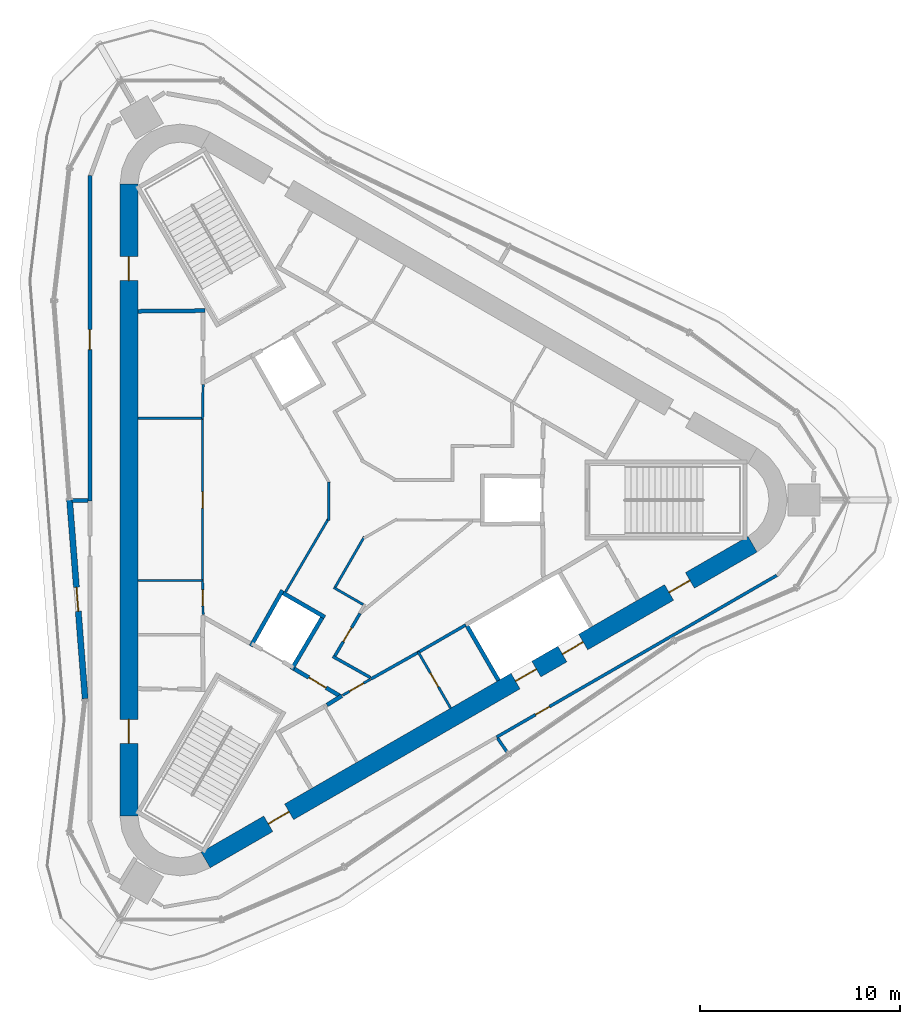
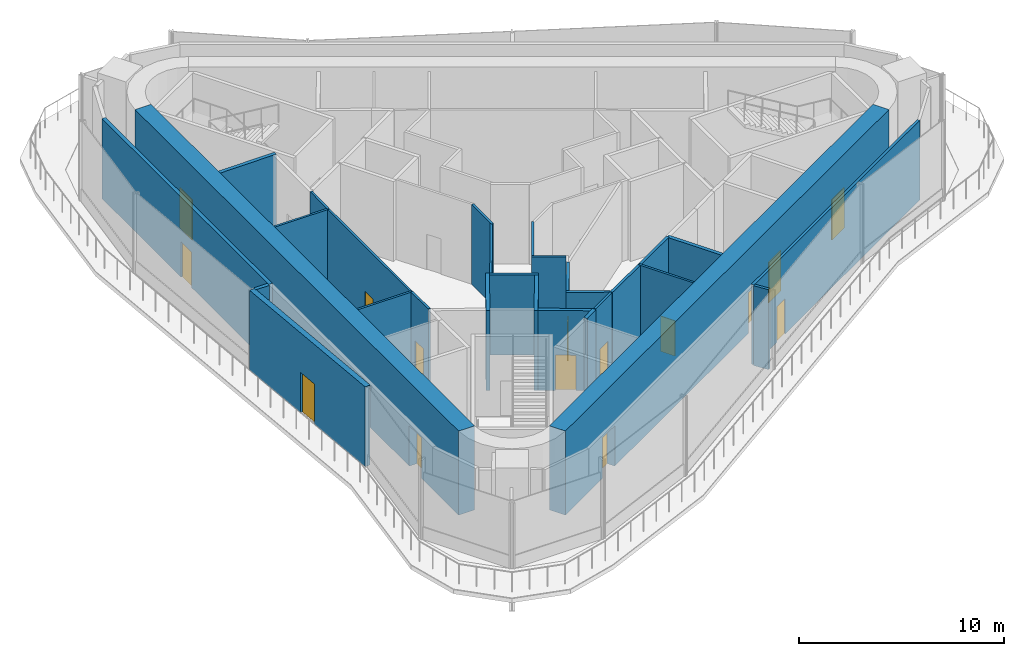
# One storey, part 4 of 9: 29 walls, 15 doors, 15 openings.
"""IFC4 building model written with IfcOpenShell, lengths in metres."""

from ifc_helpers import new_model, si_unit, direction, frame, frame_2d, origin, place, context, subcontext, project, spatial, rectangle, extrude, material, layer, layer_set, type_object, element, fill, save


model = new_model("IFC4")

# Units and contexts
model_context = context("Model", 3, precision=1e-05, world=origin(), true_north=direction((0.0, 1.0)))
body_context = subcontext(model_context, "Body", "Model", "MODEL_VIEW")
ifc_project = project(units=[si_unit("LENGTHUNIT", "METRE"), si_unit("AREAUNIT", "SQUARE_METRE"), si_unit("VOLUMEUNIT", "CUBIC_METRE"), si_unit("PLANEANGLEUNIT", "RADIAN"), si_unit("MASSUNIT", "GRAM", prefix="KILO")], contexts=[model_context])

# Site, building, storey
site_placement = place(None, origin())
site = spatial("IfcSite", under=ifc_project, at=site_placement, CompositionType="ELEMENT")
building_placement = place(site_placement, origin())
building = spatial("IfcBuilding", under=site, at=building_placement, Name="Tanit Gate Tower", CompositionType="ELEMENT")
storey_placement = place(building_placement, frame((0.0, 0.0, 430.300048828125)))
storey = spatial("IfcBuildingStorey", under=building, at=storey_placement, Name="L97", CompositionType="ELEMENT", Elevation=430.300048828125)

# Wall, openings, doors
ifc_material_1 = material(Name="Concrete C40/50", Category="concrete")
ifc_layer_1 = layer(ifc_material_1, 0.89990234375)
ifc_layer_set_1 = layer_set([ifc_layer_1], Name="CORE WALL 900 C40/50")
wall_type_1 = type_object("IfcWallType", Name="CORE WALL 900 C40/50", PredefinedType="SHEAR", material=ifc_layer_set_1)
wall_1_placement = place(storey_placement, frame((-11.64990234375, 15.76171875, 0.0), z_axis=(0.0, 0.0, 1.0), x_axis=(0.0, -1.0, 0.0)))
wall_1 = element("IfcWall", 1, at=wall_1_placement, inside=storey, type_object=wall_type_1, Name="CORE WALL", PredefinedType="SHEAR", context=body_context, shape_type="SweptSolid", body=[
    extrude(rectangle(XDim=31.5234375, YDim=0.89990234375, at=frame_2d((15.76171875, 0.0))), origin(), (0.0, 0.0, 1.0), 5.0),
])
opening_1_placement = place(wall_1_placement, frame((3.61181640625, 0.0, 0.0)))
opening_1 = element("IfcOpeningElement", 2, at=opening_1_placement, cuts=wall_1, Name="Opening F12-97-FL2", PredefinedType="OPENING", context=body_context, shape_type="SweptSolid", body=[
    extrude(rectangle(XDim=1.199951171875, YDim=2.39990234375, at=frame_2d((0.60009765625, 1.199951171875))), frame((0.0, 0.4599609375, 0.0), z_axis=(0.0, -1.0, 0.0), x_axis=(1.0, 0.0, 0.0)), (0.0, 0.0, 1.0), 0.919921875),
])
opening_2_placement = place(wall_1_placement, frame((26.711669921875, 0.0, 0.0)))
opening_2 = element("IfcOpeningElement", 3, at=opening_2_placement, cuts=wall_1, Name="Opening F12-97-S3", PredefinedType="OPENING", context=body_context, shape_type="SweptSolid", body=[
    extrude(rectangle(XDim=1.199951171875, YDim=2.39990234375, at=frame_2d((0.60009765625, 1.199951171875))), frame((0.0, 0.4599609375, 0.0), z_axis=(0.0, -1.0, 0.0), x_axis=(1.0, 0.0, 0.0)), (0.0, 0.0, 1.0), 0.919921875),
])
ifc_material_2 = material(Name="Fire-rated steel door leaf", Category="steel")
door_type_1 = type_object("IfcDoorType", Name="INT-DOOR-FIRE-LOBBY-1200", OperationType="NOTDEFINED", PredefinedType="USERDEFINED", material=ifc_material_2)
door_1_placement = place(opening_1_placement, origin())
door_1 = element("IfcDoor", 4, at=door_1_placement, inside=storey, type_object=door_type_1, Name="Door F12-97-FL2", ObjectType="FIRE DOOR", OperationType="SINGLE_SWING_RIGHT", OverallHeight=2.39990234375, OverallWidth=1.199951171875, PredefinedType="USERDEFINED", context=body_context, shape_type="SweptSolid", body=[
    extrude(rectangle(XDim=1.199951171875, YDim=2.39990234375, at=frame_2d((0.60009765625, 1.199951171875))), frame((0.0, 0.02490234375, 0.0), z_axis=(0.0, -1.0, 0.0), x_axis=(1.0, 0.0, 0.0)), (0.0, 0.0, 1.0), 0.050048828125),
])
fill(opening_1, door_1)
door_2_placement = place(opening_2_placement, origin())
door_2 = element("IfcDoor", 5, at=door_2_placement, inside=storey, type_object=door_type_1, Name="Door F12-97-S3", ObjectType="FIRE DOOR", OperationType="SINGLE_SWING_RIGHT", OverallHeight=2.39990234375, OverallWidth=1.199951171875, PredefinedType="USERDEFINED", context=body_context, shape_type="SweptSolid", body=[
    extrude(rectangle(XDim=1.199951171875, YDim=2.39990234375, at=frame_2d((0.60009765625, 1.199951171875))), frame((0.0, 0.02490234375, 0.0), z_axis=(0.0, -1.0, 0.0), x_axis=(1.0, 0.0, 0.0)), (0.0, 0.0, 1.0), 0.050048828125),
])
fill(opening_2, door_2)

wall_2_placement = place(storey_placement, frame((-7.824951171875, -17.969970703125, 0.0), z_axis=(0.0, 0.0, 1.0), x_axis=(0.866028369851, 0.499994862586, 0.0)))
wall_2 = element("IfcWall", 6, at=wall_2_placement, inside=storey, type_object=wall_type_1, Name="CORE WALL", PredefinedType="SHEAR", context=body_context, shape_type="SweptSolid", body=[
    extrude(rectangle(XDim=31.523193359375, YDim=0.89990234375, at=frame_2d((15.76171875, 0.0))), origin(), (0.0, 0.0, 1.0), 5.0),
])
opening_3_placement = place(wall_2_placement, frame((17.861572265625, 0.0, 0.0)))
opening_3 = element("IfcOpeningElement", 7, at=opening_3_placement, cuts=wall_2, Name="Opening LDSV1-97", PredefinedType="OPENING", context=body_context, shape_type="SweptSolid", body=[
    extrude(rectangle(XDim=1.199951171875, YDim=2.39990234375, at=frame_2d((0.60009765625, 1.199951171875))), frame((0.0, 0.4599609375, 0.0), z_axis=(0.0, -1.0, 0.0), x_axis=(1.0, 0.0, 0.0)), (0.0, 0.0, 1.0), 0.919921875),
])
opening_4_placement = place(wall_2_placement, frame((20.561767578125, 0.0, 0.0)))
opening_4 = element("IfcOpeningElement", 8, at=opening_4_placement, cuts=wall_2, Name="Opening LDSV2-97", PredefinedType="OPENING", context=body_context, shape_type="SweptSolid", body=[
    extrude(rectangle(XDim=1.199951171875, YDim=2.39990234375, at=frame_2d((0.60009765625, 1.199951171875))), frame((0.0, 0.4599609375, 0.0), z_axis=(0.0, -1.0, 0.0), x_axis=(1.0, 0.0, 0.0)), (0.0, 0.0, 1.0), 0.919921875),
])
opening_5_placement = place(wall_2_placement, frame((26.711669921875, 0.0, 0.0)))
opening_5 = element("IfcOpeningElement", 9, at=opening_5_placement, cuts=wall_2, Name="Opening F12-97-S1", PredefinedType="OPENING", context=body_context, shape_type="SweptSolid", body=[
    extrude(rectangle(XDim=1.199951171875, YDim=2.39990234375, at=frame_2d((0.60009765625, 1.199951171875))), frame((0.0, 0.4599609375, 0.0), z_axis=(0.0, -1.0, 0.0), x_axis=(1.0, 0.0, 0.0)), (0.0, 0.0, 1.0), 0.919921875),
])
opening_6_placement = place(wall_2_placement, frame((3.611572265625, 0.0, 0.0)))
opening_6 = element("IfcOpeningElement", 10, at=opening_6_placement, cuts=wall_2, Name="Opening F12-97-FL3", PredefinedType="OPENING", context=body_context, shape_type="SweptSolid", body=[
    extrude(rectangle(XDim=1.199951171875, YDim=2.39990234375, at=frame_2d((0.60009765625, 1.199951171875))), frame((0.0, 0.4599609375, 0.0), z_axis=(0.0, -1.0, 0.0), x_axis=(1.0, 0.0, 0.0)), (0.0, 0.0, 1.0), 0.919921875),
])
door_3_placement = place(opening_5_placement, origin())
door_3 = element("IfcDoor", 11, at=door_3_placement, inside=storey, type_object=door_type_1, Name="Door F12-97-S1", ObjectType="FIRE DOOR", OperationType="SINGLE_SWING_LEFT", OverallHeight=2.39990234375, OverallWidth=1.199951171875, PredefinedType="USERDEFINED", context=body_context, shape_type="SweptSolid", body=[
    extrude(rectangle(XDim=1.199951171875, YDim=2.39990234375, at=frame_2d((0.60009765625, 1.199951171875))), frame((0.0, 0.02490234375, 0.0), z_axis=(0.0, -1.0, 0.0), x_axis=(1.0, 0.0, 0.0)), (0.0, 0.0, 1.0), 0.050048828125),
])
fill(opening_5, door_3)
door_4_placement = place(opening_6_placement, origin())
door_4 = element("IfcDoor", 12, at=door_4_placement, inside=storey, type_object=door_type_1, Name="Door F12-97-FL3", ObjectType="FIRE DOOR", OperationType="SINGLE_SWING_RIGHT", OverallHeight=2.39990234375, OverallWidth=1.199951171875, PredefinedType="USERDEFINED", context=body_context, shape_type="SweptSolid", body=[
    extrude(rectangle(XDim=1.199951171875, YDim=2.39990234375, at=frame_2d((0.60009765625, 1.199951171875))), frame((0.0, 0.02490234375, 0.0), z_axis=(0.0, -1.0, 0.0), x_axis=(1.0, 0.0, 0.0)), (0.0, 0.0, 1.0), 0.050048828125),
])
fill(opening_6, door_4)
ifc_material_3 = material(Name="Stainless steel sliding door leaf", Category="steel")
door_type_2 = type_object("IfcDoorType", Name="INT-DOOR-LANDING-1200", OperationType="NOTDEFINED", PredefinedType="USERDEFINED", material=ifc_material_3)
door_5_placement = place(opening_3_placement, origin())
door_5 = element("IfcDoor", 13, at=door_5_placement, inside=storey, type_object=door_type_2, Name="Door LDSV1-97", ObjectType="LANDING DOOR", OperationType="SLIDING_TO_LEFT", OverallHeight=2.39990234375, OverallWidth=1.199951171875, PredefinedType="USERDEFINED", context=body_context, shape_type="SweptSolid", body=[
    extrude(rectangle(XDim=1.199951171875, YDim=2.39990234375, at=frame_2d((0.60009765625, 1.199951171875))), frame((0.0, 0.02490234375, 0.0), z_axis=(0.0, -1.0, 0.0), x_axis=(1.0, 0.0, 0.0)), (0.0, 0.0, 1.0), 0.050048828125),
])
fill(opening_3, door_5)
door_6_placement = place(opening_4_placement, origin())
door_6 = element("IfcDoor", 14, at=door_6_placement, inside=storey, type_object=door_type_2, Name="Door LDSV2-97", ObjectType="LANDING DOOR", OperationType="SLIDING_TO_LEFT", OverallHeight=2.39990234375, OverallWidth=1.199951171875, PredefinedType="USERDEFINED", context=body_context, shape_type="SweptSolid", body=[
    extrude(rectangle(XDim=1.199951171875, YDim=2.39990234375, at=frame_2d((0.60009765625, 1.199951171875))), frame((0.0, 0.02490234375, 0.0), z_axis=(0.0, -1.0, 0.0), x_axis=(1.0, 0.0, 0.0)), (0.0, 0.0, 1.0), 0.050048828125),
])
fill(opening_4, door_6)

# Walls
ifc_material_4 = material(Name="Fire-rated gypsum board partition")
ifc_layer_2 = layer(ifc_material_4, 0.199951171875)
ifc_layer_set_2 = layer_set([ifc_layer_2], Name="INT-WALL-COMPARTMENT")
wall_type_2 = type_object("IfcWallType", Name="INT-WALL-COMPARTMENT", PredefinedType="PARTITIONING", material=ifc_layer_set_2)
wall_3_placement = place(storey_placement, frame((-7.85009765625, 9.450927734375, 0.0), z_axis=(0.0, 0.0, 1.0), x_axis=(-0.999957167047, -0.009255488683, 0.0)))
element("IfcWall", 15, at=wall_3_placement, inside=storey, type_object=wall_type_2, Name="Wall Compartment W034", PredefinedType="PARTITIONING", context=body_context, shape_type="SweptSolid", body=[
    extrude(rectangle(XDim=3.35009765625, YDim=0.199951171875, at=frame_2d((1.675048828125, 0.0))), origin(), (0.0, 0.0, 1.0), 4.75),
])
wall_4_placement = place(storey_placement, frame((-1.02392578125, -9.77099609375, 0.0), z_axis=(0.0, 0.0, 1.0), x_axis=(-0.850348075135, -0.526220629693, 0.0)))
element("IfcWall", 16, at=wall_4_placement, inside=storey, type_object=wall_type_2, Name="Wall Compartment W059", PredefinedType="PARTITIONING", context=body_context, shape_type="SweptSolid", body=[
    extrude(rectangle(XDim=0.878173828125, YDim=0.199951171875, at=frame_2d((0.43896484375, 0.0))), origin(), (0.0, 0.0, 1.0), 4.75),
])

# Wall, opening, door
wall_5_placement = place(storey_placement, frame((-3.400634765625, -8.43017578125, 0.0), z_axis=(0.0, 0.0, 1.0), x_axis=(0.860617791406, -0.509251428192, 0.0)))
wall_5 = element("IfcWall", 17, at=wall_5_placement, inside=storey, type_object=wall_type_2, Name="Wall Compartment W070", PredefinedType="PARTITIONING", context=body_context, shape_type="SweptSolid", body=[
    extrude(rectangle(XDim=2.709228515625, YDim=0.199951171875, at=frame_2d((1.3544921875, 0.0))), origin(), (0.0, 0.0, 1.0), 4.75),
])
opening_7_placement = place(wall_5_placement, frame((0.848388671875, 0.0, 0.0)))
opening_7 = element("IfcOpeningElement", 18, at=opening_7_placement, cuts=wall_5, Name="Opening F10-97-08", PredefinedType="OPENING", context=body_context, shape_type="SweptSolid", body=[
    extrude(rectangle(XDim=1.0, YDim=2.10009765625, at=frame_2d((0.5, 1.050048828125))), frame((0.0, 0.10986328125, 0.0), z_axis=(0.0, -1.0, 0.0), x_axis=(1.0, 0.0, 0.0)), (0.0, 0.0, 1.0), 0.219970703125),
])
ifc_material_5 = material(Name="Fire-rated steel door leaf", Category="steel")
door_type_3 = type_object("IfcDoorType", Name="INT-DOOR-FIRE-1000", OperationType="NOTDEFINED", PredefinedType="USERDEFINED", material=ifc_material_5)
door_7_placement = place(opening_7_placement, origin())
door_7 = element("IfcDoor", 19, at=door_7_placement, inside=storey, type_object=door_type_3, Name="Door F10-97-08", ObjectType="FIRE DOOR", OperationType="SINGLE_SWING_RIGHT", OverallHeight=2.10009765625, OverallWidth=1.0, PredefinedType="USERDEFINED", context=body_context, shape_type="SweptSolid", body=[
    extrude(rectangle(XDim=1.0, YDim=2.10009765625, at=frame_2d((0.5, 1.050048828125))), frame((0.0, 0.02490234375, 0.0), z_axis=(0.0, -1.0, 0.0), x_axis=(1.0, 0.0, 0.0)), (0.0, 0.0, 1.0), 0.050048828125),
])
fill(opening_7, door_7)

wall_6_placement = place(storey_placement, frame((-13.60009765625, 16.20556640625, 0.0), z_axis=(0.0, 0.0, 1.0), x_axis=(0.0, -1.0, 0.0)))
wall_6 = element("IfcWall", 20, at=wall_6_placement, inside=storey, type_object=wall_type_2, Name="Wall Compartment W096", PredefinedType="PARTITIONING", context=body_context, shape_type="SweptSolid", body=[
    extrude(rectangle(XDim=16.255615234375, YDim=0.199951171875, at=frame_2d((8.1279296875, 0.0))), origin(), (0.0, 0.0, 1.0), 4.75),
])
opening_8_placement = place(wall_6_placement, frame((7.699951171875, 0.0, 0.0)))
opening_8 = element("IfcOpeningElement", 21, at=opening_8_placement, cuts=wall_6, Name="Opening F10-97-27", PredefinedType="OPENING", context=body_context, shape_type="SweptSolid", body=[
    extrude(rectangle(XDim=1.0, YDim=2.10009765625, at=frame_2d((0.5, 1.050048828125))), frame((0.0, 0.10986328125, 0.0), z_axis=(0.0, -1.0, 0.0), x_axis=(1.0, 0.0, 0.0)), (0.0, 0.0, 1.0), 0.219970703125),
])
door_8_placement = place(opening_8_placement, origin())
door_8 = element("IfcDoor", 22, at=door_8_placement, inside=storey, type_object=door_type_3, Name="Door F10-97-27", ObjectType="FIRE DOOR", OperationType="SINGLE_SWING_RIGHT", OverallHeight=2.10009765625, OverallWidth=1.0, PredefinedType="USERDEFINED", context=body_context, shape_type="SweptSolid", body=[
    extrude(rectangle(XDim=1.0, YDim=2.10009765625, at=frame_2d((0.5, 1.050048828125))), frame((0.0, 0.02490234375, 0.0), z_axis=(0.0, -1.0, 0.0), x_axis=(1.0, 0.0, 0.0)), (0.0, 0.0, 1.0), 0.050048828125),
])
fill(opening_8, door_8)

# Walls
wall_7_placement = place(storey_placement, frame((-14.48583984375, -0.030029296875, 0.0), z_axis=(0.0, 0.0, 1.0), x_axis=(1.0, 0.0, 0.0)))
element("IfcWall", 23, at=wall_7_placement, inside=storey, type_object=wall_type_2, Name="Wall Compartment W099", PredefinedType="PARTITIONING", context=body_context, shape_type="SweptSolid", body=[
    extrude(rectangle(XDim=0.785888671875, YDim=0.199951171875, at=frame_2d((0.39306640625, 0.0))), origin(), (0.0, 0.0, 1.0), 4.75),
])
ifc_material_6 = material(Name="Gypsum board partition")
ifc_layer_3 = layer(ifc_material_6, 0.1201171875)
ifc_layer_set_3 = layer_set([ifc_layer_3], Name="INT-WALL-PARTITION")
wall_type_3 = type_object("IfcWallType", Name="INT-WALL-PARTITION", PredefinedType="PARTITIONING", material=ifc_layer_set_3)
wall_8_placement = place(storey_placement, frame((-7.949951171875, 4.080078125, 0.0), z_axis=(0.0, 0.0, 1.0), x_axis=(-1.0, 0.0, 0.0)))
element("IfcWall", 24, at=wall_8_placement, inside=storey, type_object=wall_type_3, Name="Wall Partition W033", PredefinedType="PARTITIONING", context=body_context, shape_type="SweptSolid", body=[
    extrude(rectangle(XDim=3.25, YDim=0.1201171875, at=frame_2d((1.625, 0.0))), origin(), (0.0, 0.0, 1.0), 4.75),
])
wall_9_placement = place(storey_placement, frame((-7.951171875, 5.7724609375, 0.0), z_axis=(0.0, 0.0, 1.0), x_axis=(-0.016723387416, -0.999860154378, 0.0)))
element("IfcWall", 25, at=wall_9_placement, inside=storey, type_object=wall_type_3, Name="Wall Partition W036", PredefinedType="PARTITIONING", context=body_context, shape_type="SweptSolid", body=[
    extrude(rectangle(XDim=1.72265625, YDim=0.1201171875, at=frame_2d((0.861328125, 0.0))), origin(), (0.0, 0.0, 1.0), 4.75),
])
wall_10_placement = place(storey_placement, frame((-11.199951171875, -4.02001953125, 0.0), z_axis=(0.0, 0.0, 1.0), x_axis=(1.0, 0.0, 0.0)))
element("IfcWall", 26, at=wall_10_placement, inside=storey, type_object=wall_type_3, Name="Wall Partition W037", PredefinedType="PARTITIONING", context=body_context, shape_type="SweptSolid", body=[
    extrude(rectangle(XDim=3.25, YDim=0.1201171875, at=frame_2d((1.625, 0.0))), origin(), (0.0, 0.0, 1.0), 4.75),
])

# Wall, opening, door
wall_11_placement = place(storey_placement, frame((-7.97998046875, 4.050048828125, 0.0), z_axis=(0.0, 0.0, 1.0), x_axis=(0.0, -1.0, 0.0)))
wall_11 = element("IfcWall", 27, at=wall_11_placement, inside=storey, type_object=wall_type_3, Name="Wall Partition W038", PredefinedType="PARTITIONING", context=body_context, shape_type="SweptSolid", body=[
    extrude(rectangle(XDim=8.10009765625, YDim=0.1201171875, at=frame_2d((4.050048828125, 0.0))), origin(), (0.0, 0.0, 1.0), 4.75),
])
opening_9_placement = place(wall_11_placement, frame((3.64990234375, 0.0, 0.0)))
opening_9 = element("IfcOpeningElement", 28, at=opening_9_placement, cuts=wall_11, Name="Opening R08-97-15", PredefinedType="OPENING", context=body_context, shape_type="SweptSolid", body=[
    extrude(rectangle(XDim=0.800048828125, YDim=2.10009765625, at=frame_2d((0.39990234375, 1.050048828125))), frame((0.0, 0.070068359375, 0.0), z_axis=(0.0, -1.0, 0.0), x_axis=(1.0, 0.0, 0.0)), (0.0, 0.0, 1.0), 0.14013671875),
])
ifc_material_7 = material(Name="Timber door leaf", Category="wood")
door_type_4 = type_object("IfcDoorType", Name="INT-DOOR-RISER-800", OperationType="NOTDEFINED", PredefinedType="USERDEFINED", material=ifc_material_7)
door_9_placement = place(opening_9_placement, origin())
door_9 = element("IfcDoor", 29, at=door_9_placement, inside=storey, type_object=door_type_4, Name="Door R08-97-15", ObjectType="FIRE DOOR", OperationType="SINGLE_SWING_LEFT", OverallHeight=2.10009765625, OverallWidth=0.800048828125, PredefinedType="USERDEFINED", context=body_context, shape_type="SweptSolid", body=[
    extrude(rectangle(XDim=0.800048828125, YDim=2.10009765625, at=frame_2d((0.39990234375, 1.050048828125))), frame((0.0, 0.02490234375, 0.0), z_axis=(0.0, -1.0, 0.0), x_axis=(1.0, 0.0, 0.0)), (0.0, 0.0, 1.0), 0.050048828125),
])
fill(opening_9, door_9)

wall_12_placement = place(storey_placement, frame((-7.97998046875, -4.050048828125, 0.0), z_axis=(0.0, 0.0, 1.0), x_axis=(0.016798213807, -0.999858900052, 0.0)))
wall_12 = element("IfcWall", 30, at=wall_12_placement, inside=storey, type_object=wall_type_3, Name="Wall Partition W041", PredefinedType="PARTITIONING", context=body_context, shape_type="SweptSolid", body=[
    extrude(rectangle(XDim=1.67138671875, YDim=0.1201171875, at=frame_2d((0.835693359375, 0.0))), origin(), (0.0, 0.0, 1.0), 4.75),
])
opening_10_placement = place(wall_12_placement, frame((0.435791015625, 0.0, 0.0)))
opening_10 = element("IfcOpeningElement", 31, at=opening_10_placement, cuts=wall_12, Name="Opening R08-97-16", PredefinedType="OPENING", context=body_context, shape_type="SweptSolid", body=[
    extrude(rectangle(XDim=0.800048828125, YDim=2.10009765625, at=frame_2d((0.39990234375, 1.050048828125))), frame((0.0, 0.070068359375, 0.0), z_axis=(0.0, -1.0, 0.0), x_axis=(1.0, 0.0, 0.0)), (0.0, 0.0, 1.0), 0.14013671875),
])
door_10_placement = place(opening_10_placement, origin())
door_10 = element("IfcDoor", 32, at=door_10_placement, inside=storey, type_object=door_type_4, Name="Door R08-97-16", ObjectType="FIRE DOOR", OperationType="SINGLE_SWING_LEFT", OverallHeight=2.10009765625, OverallWidth=0.800048828125, PredefinedType="USERDEFINED", context=body_context, shape_type="SweptSolid", body=[
    extrude(rectangle(XDim=0.800048828125, YDim=2.10009765625, at=frame_2d((0.39990234375, 1.050048828125))), frame((0.0, 0.02490234375, 0.0), z_axis=(0.0, -1.0, 0.0), x_axis=(1.0, 0.0, 0.0)), (0.0, 0.0, 1.0), 0.050048828125),
])
fill(opening_10, door_10)

wall_13_placement = place(storey_placement, frame((4.40478515625, -10.389404296875, 0.0), z_axis=(0.0, 0.0, 1.0), x_axis=(-0.500017246033, 0.866015446554, 0.0)))
wall_13 = element("IfcWall", 33, at=wall_13_placement, inside=storey, type_object=wall_type_3, Name="Wall Partition W058", PredefinedType="PARTITIONING", context=body_context, shape_type="SweptSolid", body=[
    extrude(rectangle(XDim=3.25, YDim=0.1201171875, at=frame_2d((1.625, 0.0))), origin(), (0.0, 0.0, 1.0), 4.75),
])
opening_11_placement = place(wall_13_placement, frame((1.22509765625, 0.0, 0.0)))
opening_11 = element("IfcOpeningElement", 34, at=opening_11_placement, cuts=wall_13, Name="Opening R08-97-24", PredefinedType="OPENING", context=body_context, shape_type="SweptSolid", body=[
    extrude(rectangle(XDim=0.800048828125, YDim=2.10009765625, at=frame_2d((0.39990234375, 1.050048828125))), frame((0.0, 0.070068359375, 0.0), z_axis=(0.0, -1.0, 0.0), x_axis=(1.0, 0.0, 0.0)), (0.0, 0.0, 1.0), 0.14013671875),
])
door_11_placement = place(opening_11_placement, origin())
door_11 = element("IfcDoor", 35, at=door_11_placement, inside=storey, type_object=door_type_4, Name="Door R08-97-24", ObjectType="FIRE DOOR", OperationType="SINGLE_SWING_LEFT", OverallHeight=2.10009765625, OverallWidth=0.800048828125, PredefinedType="USERDEFINED", context=body_context, shape_type="SweptSolid", body=[
    extrude(rectangle(XDim=0.800048828125, YDim=2.10009765625, at=frame_2d((0.39990234375, 1.050048828125))), frame((0.0, 0.02490234375, 0.0), z_axis=(0.0, -1.0, 0.0), x_axis=(1.0, 0.0, 0.0)), (0.0, 0.0, 1.0), 0.050048828125),
])
fill(opening_11, door_11)

wall_14_placement = place(storey_placement, frame((0.39990234375, -8.948974609375, 0.0), z_axis=(0.0, 0.0, 1.0), x_axis=(-0.866019818373, -0.500009674092, 0.0)))
wall_14 = element("IfcWall", 36, at=wall_14_placement, inside=storey, type_object=wall_type_3, Name="Wall Partition W061", PredefinedType="PARTITIONING", context=body_context, shape_type="SweptSolid", body=[
    extrude(rectangle(XDim=1.59423828125, YDim=0.1201171875, at=frame_2d((0.797119140625, 0.0))), origin(), (0.0, 0.0, 1.0), 4.75),
])
opening_12_placement = place(wall_14_placement, frame((0.397216796875, 0.0, 0.0)))
opening_12 = element("IfcOpeningElement", 37, at=opening_12_placement, cuts=wall_14, Name="Opening R08-97-23", PredefinedType="OPENING", context=body_context, shape_type="SweptSolid", body=[
    extrude(rectangle(XDim=0.800048828125, YDim=2.10009765625, at=frame_2d((0.39990234375, 1.050048828125))), frame((0.0, 0.070068359375, 0.0), z_axis=(0.0, -1.0, 0.0), x_axis=(1.0, 0.0, 0.0)), (0.0, 0.0, 1.0), 0.14013671875),
])
door_12_placement = place(opening_12_placement, origin())
door_12 = element("IfcDoor", 38, at=door_12_placement, inside=storey, type_object=door_type_4, Name="Door R08-97-23", ObjectType="FIRE DOOR", OperationType="SINGLE_SWING_LEFT", OverallHeight=2.10009765625, OverallWidth=0.800048828125, PredefinedType="USERDEFINED", context=body_context, shape_type="SweptSolid", body=[
    extrude(rectangle(XDim=0.800048828125, YDim=2.10009765625, at=frame_2d((0.39990234375, 1.050048828125))), frame((0.0, 0.02490234375, 0.0), z_axis=(0.0, -1.0, 0.0), x_axis=(1.0, 0.0, 0.0)), (0.0, 0.0, 1.0), 0.050048828125),
])
fill(opening_12, door_12)

# Walls
wall_15_placement = place(storey_placement, frame((-1.688720703125, -1.02734375, 0.0), z_axis=(0.0, 0.0, 1.0), x_axis=(0.0, 1.0, 0.0)))
element("IfcWall", 39, at=wall_15_placement, inside=storey, type_object=wall_type_3, Name="Wall Partition W072", PredefinedType="PARTITIONING", context=body_context, shape_type="SweptSolid", body=[
    extrude(rectangle(XDim=1.933349609375, YDim=0.1201171875, at=frame_2d((0.966796875, 0.0))), origin(), (0.0, 0.0, 1.0), 4.75),
])
wall_16_placement = place(storey_placement, frame((-3.841064453125, -4.59521484375, 0.0), z_axis=(0.0, 0.0, 1.0), x_axis=(0.505883680705, 0.862601705074, 0.0)))
element("IfcWall", 40, at=wall_16_placement, inside=storey, type_object=wall_type_3, Name="Wall Partition W073", PredefinedType="PARTITIONING", context=body_context, shape_type="SweptSolid", body=[
    extrude(rectangle(XDim=4.23583984375, YDim=0.1201171875, at=frame_2d((2.117919921875, 0.0))), origin(), (0.0, 0.0, 1.0), 4.75),
])
wall_17_placement = place(storey_placement, frame((-1.43603515625, -4.3671875, 0.0), z_axis=(0.0, 0.0, 1.0), x_axis=(0.866087547558, -0.499892348375, 0.0)))
element("IfcWall", 41, at=wall_17_placement, inside=storey, type_object=wall_type_3, Name="Wall Partition W079", PredefinedType="PARTITIONING", context=body_context, shape_type="SweptSolid", body=[
    extrude(rectangle(XDim=1.699951171875, YDim=0.1201171875, at=frame_2d((0.85009765625, 0.0))), origin(), (0.0, 0.0, 1.0), 4.75),
])
wall_18_placement = place(storey_placement, frame((0.09521484375, -1.8349609375, 0.0), z_axis=(0.0, 0.0, 1.0), x_axis=(-0.499980071345, -0.866036909293, 0.0)))
element("IfcWall", 42, at=wall_18_placement, inside=storey, type_object=wall_type_3, Name="Wall Partition W080", PredefinedType="PARTITIONING", context=body_context, shape_type="SweptSolid", body=[
    extrude(rectangle(XDim=2.8984375, YDim=0.1201171875, at=frame_2d((1.44921875, 0.0))), origin(), (0.0, 0.0, 1.0), 4.75),
])
ifc_material_8 = material(Name="Fire-rated gypsum board partition")
ifc_layer_4 = layer(ifc_material_8, 0.14990234375)
ifc_layer_set_4 = layer_set([ifc_layer_4], Name="INT-WALL-RISER")
wall_type_4 = type_object("IfcWallType", Name="INT-WALL-RISER", PredefinedType="PLUMBINGWALL", material=ifc_layer_set_4)
wall_19_placement = place(storey_placement, frame((0.419921875, -8.9375, 0.0), z_axis=(0.0, 0.0, 1.0), x_axis=(0.871409832999, 0.490555708306, 0.0)))
element("IfcWall", 43, at=wall_19_placement, inside=storey, type_object=wall_type_4, Name="Wall Riser W060", PredefinedType="PLUMBINGWALL", context=body_context, shape_type="SweptSolid", body=[
    extrude(rectangle(XDim=2.755126953125, YDim=0.14990234375, at=frame_2d((1.37744140625, 0.0))), origin(), (0.0, 0.0, 1.0), 4.75),
])
wall_20_placement = place(storey_placement, frame((2.82080078125, -7.5859375, 0.0), z_axis=(0.0, 0.0, 1.0), x_axis=(0.866019956843, 0.50000943426, 0.0)))
element("IfcWall", 44, at=wall_20_placement, inside=storey, type_object=wall_type_4, Name="Wall Riser W062", PredefinedType="PLUMBINGWALL", context=body_context, shape_type="SweptSolid", body=[
    extrude(rectangle(XDim=2.7001953125, YDim=0.14990234375, at=frame_2d((1.35009765625, 0.0))), origin(), (0.0, 0.0, 1.0), 4.75),
])
wall_21_placement = place(storey_placement, frame((-1.47705078125, -7.808349609375, 0.0), z_axis=(0.0, 0.0, 1.0), x_axis=(0.871829948107, -0.48980867855, 0.0)))
element("IfcWall", 45, at=wall_21_placement, inside=storey, type_object=wall_type_4, Name="Wall Riser W075", PredefinedType="PLUMBINGWALL", context=body_context, shape_type="SweptSolid", body=[
    extrude(rectangle(XDim=2.15185546875, YDim=0.14990234375, at=frame_2d((1.075927734375, 0.0))), origin(), (0.0, 0.0, 1.0), 4.75),
])

# Wall, opening, door
wall_22_placement = place(storey_placement, frame((-0.118896484375, -5.664306640625, 0.0), z_axis=(0.0, 0.0, 1.0), x_axis=(-0.509935662771, -0.860212543406, 0.0)))
wall_22 = element("IfcWall", 46, at=wall_22_placement, inside=storey, type_object=wall_type_4, Name="Wall Riser W076", PredefinedType="PLUMBINGWALL", context=body_context, shape_type="SweptSolid", body=[
    extrude(rectangle(XDim=2.46044921875, YDim=0.14990234375, at=frame_2d((1.230224609375, 0.0))), origin(), (0.0, 0.0, 1.0), 4.75),
])
opening_13_placement = place(wall_22_placement, frame((0.830078125, 0.0, 0.0)))
opening_13 = element("IfcOpeningElement", 47, at=opening_13_placement, cuts=wall_22, Name="Opening R08-97-11", PredefinedType="OPENING", context=body_context, shape_type="SweptSolid", body=[
    extrude(rectangle(XDim=0.800048828125, YDim=2.10009765625, at=frame_2d((0.39990234375, 1.050048828125))), frame((0.0, 0.0849609375, 0.0), z_axis=(0.0, -1.0, 0.0), x_axis=(1.0, 0.0, 0.0)), (0.0, 0.0, 1.0), 0.169921875),
])
door_13_placement = place(opening_13_placement, origin())
door_13 = element("IfcDoor", 48, at=door_13_placement, inside=storey, type_object=door_type_4, Name="Door R08-97-11", ObjectType="FIRE DOOR", OperationType="SINGLE_SWING_RIGHT", OverallHeight=2.10009765625, OverallWidth=0.800048828125, PredefinedType="USERDEFINED", context=body_context, shape_type="SweptSolid", body=[
    extrude(rectangle(XDim=0.800048828125, YDim=2.10009765625, at=frame_2d((0.39990234375, 1.050048828125))), frame((0.0, 0.02490234375, 0.0), z_axis=(0.0, -1.0, 0.0), x_axis=(1.0, 0.0, 0.0)), (0.0, 0.0, 1.0), 0.050048828125),
])
fill(opening_13, door_13)

wall_23_placement = place(storey_placement, frame((6.698486328125, -11.836669921875, 0.0), z_axis=(0.0, 0.0, 1.0), x_axis=(0.866022938386, 0.500004270171, 0.0)))
wall_23 = element("IfcWall", 49, at=wall_23_placement, inside=storey, type_object=wall_type_4, Name="Wall Riser W115", PredefinedType="PLUMBINGWALL", context=body_context, shape_type="SweptSolid", body=[
    extrude(rectangle(XDim=16.147705078125, YDim=0.14990234375, at=frame_2d((8.07373046875, 0.0))), origin(), (0.0, 0.0, 1.0), 4.75),
])
opening_14_placement = place(wall_23_placement, frame((2.242919921875, 0.0, 0.0)))
opening_14 = element("IfcOpeningElement", 50, at=opening_14_placement, cuts=wall_23, Name="Opening R08-97-31", PredefinedType="OPENING", context=body_context, shape_type="SweptSolid", body=[
    extrude(rectangle(XDim=0.800048828125, YDim=2.10009765625, at=frame_2d((0.39990234375, 1.050048828125))), frame((0.0, 0.0849609375, 0.0), z_axis=(0.0, -1.0, 0.0), x_axis=(1.0, 0.0, 0.0)), (0.0, 0.0, 1.0), 0.169921875),
])
door_14_placement = place(opening_14_placement, origin())
door_14 = element("IfcDoor", 51, at=door_14_placement, inside=storey, type_object=door_type_4, Name="Door R08-97-31", ObjectType="FIRE DOOR", OperationType="SINGLE_SWING_RIGHT", OverallHeight=2.10009765625, OverallWidth=0.800048828125, PredefinedType="USERDEFINED", context=body_context, shape_type="SweptSolid", body=[
    extrude(rectangle(XDim=0.800048828125, YDim=2.10009765625, at=frame_2d((0.39990234375, 1.050048828125))), frame((0.0, 0.02490234375, 0.0), z_axis=(0.0, -1.0, 0.0), x_axis=(1.0, 0.0, 0.0)), (0.0, 0.0, 1.0), 0.050048828125),
])
fill(opening_14, door_14)

# Walls
wall_24_placement = place(storey_placement, frame((7.21337890625, -12.568359375, 0.0), z_axis=(0.0, 0.0, 1.0), x_axis=(-0.565933909506, 0.824450611056, 0.0)))
element("IfcWall", 52, at=wall_24_placement, inside=storey, type_object=wall_type_4, Name="Wall Riser W116", PredefinedType="PLUMBINGWALL", context=body_context, shape_type="SweptSolid", body=[
    extrude(rectangle(XDim=0.81884765625, YDim=0.14990234375, at=frame_2d((0.409423828125, 0.0))), origin(), (0.0, 0.0, 1.0), 4.75),
])
ifc_material_9 = material(Name="Gypsum shaft wall system")
ifc_layer_5 = layer(ifc_material_9, 0.199951171875)
ifc_layer_set_5 = layer_set([ifc_layer_5], Name="INT-WALL-SHAFT")
wall_type_5 = type_object("IfcWallType", Name="INT-WALL-SHAFT", PredefinedType="PLUMBINGWALL", material=ifc_layer_set_5)
wall_25_placement = place(storey_placement, frame((6.795166015625, -9.009521484375, 0.0), z_axis=(0.0, 0.0, 1.0), x_axis=(-0.499984717929, 0.866034226713, 0.0)))
element("IfcWall", 53, at=wall_25_placement, inside=storey, type_object=wall_type_5, Name="Wall Shaft W001", PredefinedType="PLUMBINGWALL", context=body_context, shape_type="SweptSolid", body=[
    extrude(rectangle(XDim=3.25, YDim=0.199951171875, at=frame_2d((1.625, 0.0))), origin(), (0.0, 0.0, 1.0), 4.75),
])
wall_26_placement = place(storey_placement, frame((-5.5625, -7.29638671875, 0.0), z_axis=(0.0, 0.0, 1.0), x_axis=(0.491358283181, 0.870957540612, 0.0)))
element("IfcWall", 54, at=wall_26_placement, inside=storey, type_object=wall_type_5, Name="Wall Shaft W029", PredefinedType="PLUMBINGWALL", context=body_context, shape_type="SweptSolid", body=[
    extrude(rectangle(XDim=3.200439453125, YDim=0.199951171875, at=frame_2d((1.60009765625, 0.0))), origin(), (0.0, 0.0, 1.0), 4.75),
])
wall_27_placement = place(storey_placement, frame((-3.95263671875, -4.646240234375, 0.0), z_axis=(0.0, 0.0, 1.0), x_axis=(0.866024647952, -0.500001309137, 0.0)))
element("IfcWall", 55, at=wall_27_placement, inside=storey, type_object=wall_type_5, Name="Wall Shaft W030", PredefinedType="PLUMBINGWALL", context=body_context, shape_type="SweptSolid", body=[
    extrude(rectangle(XDim=2.39990234375, YDim=0.199951171875, at=frame_2d((1.199951171875, 0.0))), origin(), (0.0, 0.0, 1.0), 4.75),
])
wall_28_placement = place(storey_placement, frame((-2.01171875, -5.88232421875, 0.0), z_axis=(0.0, 0.0, 1.0), x_axis=(-0.508619639323, -0.860991325447, 0.0)))
element("IfcWall", 56, at=wall_28_placement, inside=storey, type_object=wall_type_5, Name="Wall Shaft W032", PredefinedType="PLUMBINGWALL", context=body_context, shape_type="SweptSolid", body=[
    extrude(rectangle(XDim=3.0, YDim=0.199951171875, at=frame_2d((1.5, 0.0))), origin(), (0.0, 0.0, 1.0), 4.75),
])

# Wall, opening, door
ifc_material_10 = material(Name="Concrete C30/37 insulated", Category="concrete")
ifc_layer_6 = layer(ifc_material_10, 0.300048828125)
ifc_layer_set_6 = layer_set([ifc_layer_6], Name="Plant level wall 300 insulated")
wall_type_6 = type_object("IfcWallType", Name="Plant level wall 300 insulated", PredefinedType="SOLIDWALL", material=ifc_layer_set_6)
wall_29_placement = place(storey_placement, frame((-14.613525390625, -0.00244140625, 0.0), z_axis=(0.0, 0.0, 1.0), x_axis=(0.077860592968, -0.996964256161, 0.0)))
wall_29 = element("IfcWall", 57, at=wall_29_placement, inside=storey, type_object=wall_type_6, Name="Facade wall L97 W2.2", PredefinedType="SOLIDWALL", context=body_context, shape_type="SweptSolid", body=[
    extrude(rectangle(XDim=9.943115234375, YDim=0.300048828125, at=frame_2d((4.9716796875, 0.0))), origin(), (0.0, 0.0, 1.0), 4.75),
])
opening_15_placement = place(wall_29_placement, frame((4.37158203125, 0.0, 0.0)))
opening_15 = element("IfcOpeningElement", 58, at=opening_15_placement, cuts=wall_29, Name="Opening D4", PredefinedType="OPENING", context=body_context, shape_type="SweptSolid", body=[
    extrude(rectangle(XDim=1.199951171875, YDim=2.39990234375, at=frame_2d((0.60009765625, 1.199951171875))), frame((0.0, 0.16015625, 0.0), z_axis=(0.0, -1.0, 0.0), x_axis=(1.0, 0.0, 0.0)), (0.0, 0.0, 1.0), 0.320068359375),
])
ifc_material_11 = material(Name="Steel S355 galvanised", Category="steel")
door_type_5 = type_object("IfcDoorType", Name="Service door single 1200x2400", OperationType="NOTDEFINED", PredefinedType="DOOR", material=ifc_material_11)
door_15_placement = place(opening_15_placement, frame((1.199951171875, 0.0, 0.0), z_axis=(0.0, 0.0, 1.0), x_axis=(-1.0, 0.0, 0.0)))
door_15 = element("IfcDoor", 59, at=door_15_placement, inside=storey, type_object=door_type_5, Name="Terrace service door", OperationType="SINGLE_SWING_RIGHT", OverallHeight=2.39990234375, OverallWidth=1.199951171875, PredefinedType="DOOR", context=body_context, shape_type="SweptSolid", body=[
    extrude(rectangle(XDim=1.199951171875, YDim=2.39990234375, at=frame_2d((0.60009765625, 1.199951171875))), frame((0.0, 0.02490234375, 0.0), z_axis=(0.0, -1.0, 0.0), x_axis=(1.0, 0.0, 0.0)), (0.0, 0.0, 1.0), 0.050048828125),
])
fill(opening_15, door_15)

save(model, "model.ifc")
